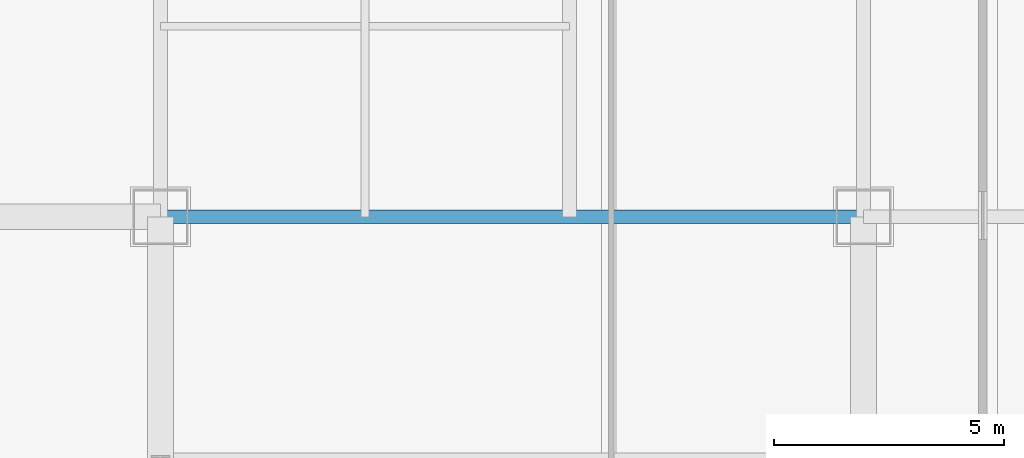
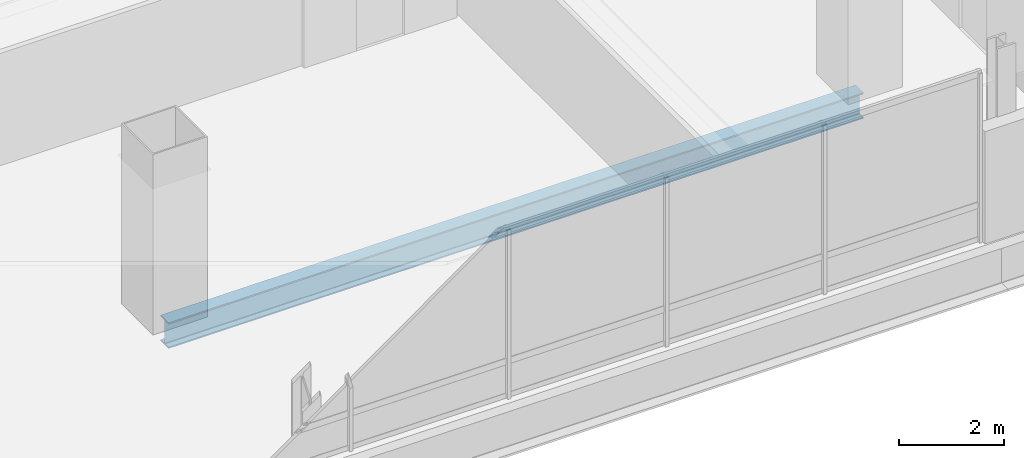
# One storey, part 5 of 46: 1 beam.
"""IFC4 building model written with IfcOpenShell, lengths in metres."""

from ifc_helpers import new_model, si_unit, direction, frame, origin, origin_2d, place, context, subcontext, project, spatial, i_section, extrude, material, material_profile, profile_set, type_object, element, save


model = new_model("IFC4")

# Units and contexts
model_context = context("Model", 3, precision=1e-05, world=origin(), true_north=direction((0.0, 1.0)))
body_context = subcontext(model_context, "Body", "Model", "MODEL_VIEW")
ifc_project = project(units=[si_unit("LENGTHUNIT", "METRE"), si_unit("AREAUNIT", "SQUARE_METRE"), si_unit("VOLUMEUNIT", "CUBIC_METRE"), si_unit("PLANEANGLEUNIT", "RADIAN"), si_unit("MASSUNIT", "GRAM", prefix="KILO")], contexts=[model_context])

# Site, building, storey
site_placement = place(None, origin())
site = spatial("IfcSite", under=ifc_project, at=site_placement, CompositionType="ELEMENT")
building_placement = place(site_placement, origin())
building = spatial("IfcBuilding", under=site, at=building_placement, Name="Punatoya Terracotta Tower", CompositionType="ELEMENT")
storey_placement = place(building_placement, frame((0.0, 0.0, 330.0)))
storey = spatial("IfcBuildingStorey", under=building, at=storey_placement, Name="L78", CompositionType="ELEMENT", Elevation=330.0)

# Beam
ifc_material = material(Name="Steel S355", Category="steel")
ifc_material_profile = material_profile(ifc_material, i_section(OverallWidth=0.300048828125, OverallDepth=0.60009765625, WebThickness=0.015380859375, FlangeThickness=0.030029296875, FilletRadius=0.01806640625, at=origin_2d()))
ifc_profile_set = profile_set([ifc_material_profile], Name="Steel S355")
beam_type = type_object("IfcBeamType", Name="BM-PRI-600", PredefinedType="BEAM", material=ifc_profile_set)
beam_placement = place(storey_placement, frame((-19.10009765625, -17.5, -0.5), z_axis=(1.0, 0.0, 0.0), x_axis=(0.0, 1.0, 0.0)))
element("IfcBeam", 1, at=beam_placement, inside=storey, type_object=beam_type, Name="BM-L78-RG-S1", PredefinedType="BEAM", context=body_context, shape_type="SweptSolid", body=[
    extrude(i_section(OverallWidth=0.300048828125, OverallDepth=0.60009765625, WebThickness=0.015380859375, FlangeThickness=0.030029296875, FilletRadius=0.01806640625, at=origin_2d()), origin(), (0.0, 0.0, 1.0), 15.300048828125),
])

save(model, "model.ifc")
